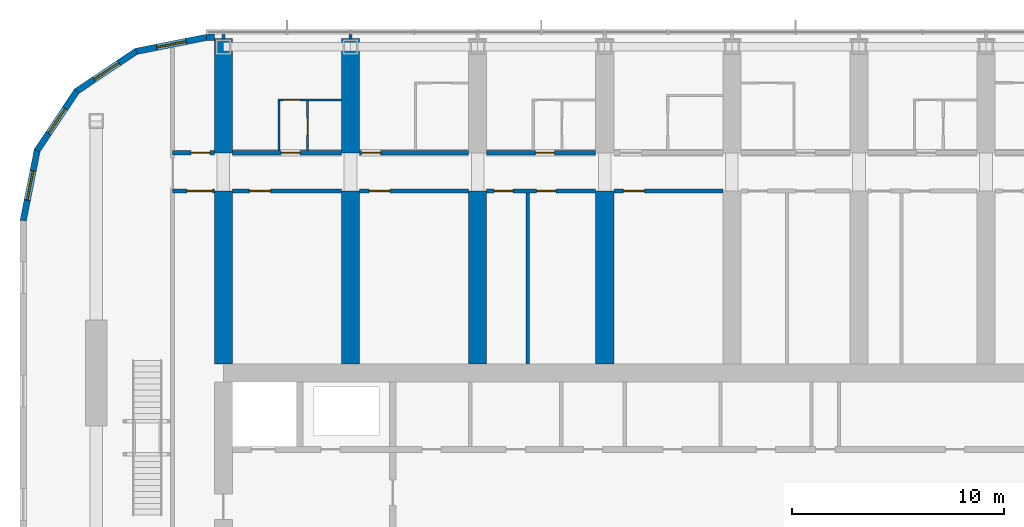
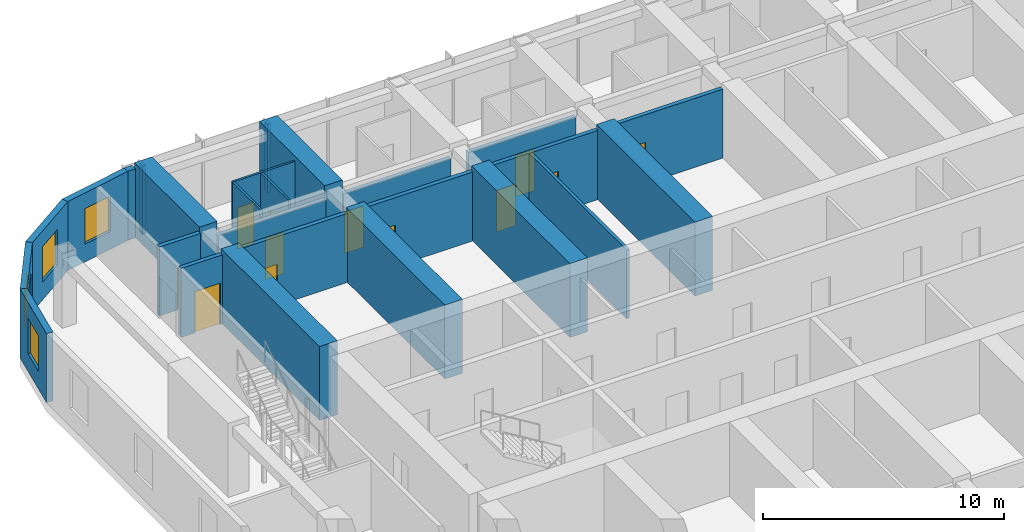
# One storey, part 17 of 27: 26 walls, 12 doors, 4 windows, 16 openings.
"""IFC4 building model written with IfcOpenShell, lengths in metres."""

from ifc_helpers import new_model, si_unit, direction, frame, frame_2d, origin, place, context, subcontext, project, spatial, polyline, rectangle, outline, extrude, material, layer, layer_set, type_object, element, fill, save


model = new_model("IFC4")

# Units and contexts
model_context = context("Model", 3, precision=1e-05, world=origin(), true_north=direction((0.0, 1.0)))
body_context = subcontext(model_context, "Body", "Model", "MODEL_VIEW")
ifc_project = project(units=[si_unit("LENGTHUNIT", "METRE"), si_unit("AREAUNIT", "SQUARE_METRE"), si_unit("VOLUMEUNIT", "CUBIC_METRE"), si_unit("PLANEANGLEUNIT", "RADIAN"), si_unit("MASSUNIT", "GRAM", prefix="KILO")], contexts=[model_context])

# Site, building, storey
site_placement = place(None, origin())
site = spatial("IfcSite", under=ifc_project, at=site_placement, CompositionType="ELEMENT")
building_placement = place(site_placement, origin())
building = spatial("IfcBuilding", under=site, at=building_placement, Name="Orbita Commons", CompositionType="ELEMENT")
storey_placement = place(building_placement, frame((0.0, 0.0, 178.60009765625)))
storey = spatial("IfcBuildingStorey", under=building, at=storey_placement, Name="L44", CompositionType="ELEMENT", Elevation=178.60009765625)

# Wall, opening, door
ifc_material_1 = material(Name="Concrete blockwork", Category="masonry")
ifc_layer_1 = layer(ifc_material_1, 0.199951171875)
ifc_layer_set_1 = layer_set([ifc_layer_1], Name="Concrete blockwork")
wall_type_1 = type_object("IfcWallType", Name="Corridor wall 200 blockwork", PredefinedType="SOLIDWALL", material=ifc_layer_set_1)
wall_1_placement = place(storey_placement, frame((15.60009765625, 48.60009765625, 0.0), z_axis=(0.0, 0.0, 1.0), x_axis=(1.0, 0.0, 0.0)))
wall_1 = element("IfcWall", 1, at=wall_1_placement, inside=storey, type_object=wall_type_1, Name="Corridor wall 200 blockwork L44", PredefinedType="SOLIDWALL", context=body_context, shape_type="SweptSolid", body=[
    extrude(rectangle(XDim=1.974853515625, YDim=0.199951171875, at=frame_2d((0.9873046875, 0.0))), origin(), (0.0, 0.0, 1.0), 3.5),
])
opening_1_placement = place(wall_1_placement, frame((0.875, 0.0, 0.0)))
opening_1 = element("IfcOpeningElement", 2, at=opening_1_placement, cuts=wall_1, Name="Opening D05", PredefinedType="OPENING", context=body_context, shape_type="SweptSolid", body=[
    extrude(rectangle(XDim=0.89990234375, YDim=2.10009765625, at=frame_2d((0.449951171875, 1.050048828125))), frame((0.0, 0.10986328125, 0.0), z_axis=(0.0, -1.0, 0.0), x_axis=(1.0, 0.0, 0.0)), (0.0, 0.0, 1.0), 0.219970703125),
])
ifc_material_2 = material(Name="Steel-faced fire door leaf", Category="steel")
door_type_1 = type_object("IfcDoorType", Name="Service door 20 min 900x2100", OperationType="SINGLE_SWING_LEFT", PredefinedType="DOOR", material=ifc_material_2)
door_1_placement = place(opening_1_placement, origin())
door_1 = element("IfcDoor", 3, at=door_1_placement, inside=storey, type_object=door_type_1, Name="Linen store L44-KWN door", OperationType="SINGLE_SWING_LEFT", OverallHeight=2.10009765625, OverallWidth=0.89990234375, PredefinedType="DOOR", context=body_context, shape_type="SweptSolid", body=[
    extrude(rectangle(XDim=0.89990234375, YDim=2.10009765625, at=frame_2d((0.449951171875, 1.050048828125))), frame((0.0, 0.02490234375, 0.0), z_axis=(0.0, -1.0, 0.0), x_axis=(1.0, 0.0, 0.0)), (0.0, 0.0, 1.0), 0.050048828125),
])
fill(opening_1, door_1)

wall_2_placement = place(storey_placement, frame((18.425048828125, 48.60009765625, 0.0), z_axis=(0.0, 0.0, 1.0), x_axis=(1.0, 0.0, 0.0)))
wall_2 = element("IfcWall", 4, at=wall_2_placement, inside=storey, type_object=wall_type_1, Name="Corridor wall 200 blockwork L44", PredefinedType="SOLIDWALL", context=body_context, shape_type="SweptSolid", body=[
    extrude(outline(polyline([(0.0, 0.0), (5.14990234375, 0.0), (5.14990234375, 3.099853515625), (0.0, 3.099853515625), (0.0, 0.0)])), frame((0.0, 0.10009765625, 0.0), z_axis=(0.0, -1.0, 0.0), x_axis=(1.0, 0.0, 0.0)), (0.0, 0.0, 1.0), 0.199951171875),
])
opening_2_placement = place(wall_2_placement, frame((2.300048828125, 0.0, 0.0)))
opening_2 = element("IfcOpeningElement", 5, at=opening_2_placement, cuts=wall_2, Name="Opening D11", PredefinedType="OPENING", context=body_context, shape_type="SweptSolid", body=[
    extrude(rectangle(XDim=0.89990234375, YDim=2.10009765625, at=frame_2d((0.449951171875, 1.050048828125))), frame((0.0, 0.10986328125, 0.0), z_axis=(0.0, -1.0, 0.0), x_axis=(1.0, 0.0, 0.0)), (0.0, 0.0, 1.0), 0.219970703125),
])
ifc_material_3 = material(Name="Steel-faced fire door leaf", Category="steel")
door_type_2 = type_object("IfcDoorType", Name="Corridor door 20 min 900x2100", OperationType="SINGLE_SWING_LEFT", PredefinedType="DOOR", material=ifc_material_3)
door_2_placement = place(opening_2_placement, origin())
door_2 = element("IfcDoor", 6, at=door_2_placement, inside=storey, type_object=door_type_2, Name="Studio flat L44-N00 entrance door", OperationType="SINGLE_SWING_LEFT", OverallHeight=2.10009765625, OverallWidth=0.89990234375, PredefinedType="DOOR", context=body_context, shape_type="SweptSolid", body=[
    extrude(rectangle(XDim=0.89990234375, YDim=2.10009765625, at=frame_2d((0.449951171875, 1.050048828125))), frame((0.0, 0.02490234375, 0.0), z_axis=(0.0, -1.0, 0.0), x_axis=(1.0, 0.0, 0.0)), (0.0, 0.0, 1.0), 0.050048828125),
])
fill(opening_2, door_2)

wall_3_placement = place(storey_placement, frame((24.425048828125, 48.60009765625, 0.0), z_axis=(0.0, 0.0, 1.0), x_axis=(1.0, 0.0, 0.0)))
wall_3 = element("IfcWall", 7, at=wall_3_placement, inside=storey, type_object=wall_type_1, Name="Corridor wall 200 blockwork L44", PredefinedType="SOLIDWALL", context=body_context, shape_type="SweptSolid", body=[
    extrude(outline(polyline([(0.0, 0.0), (5.14990234375, 0.0), (5.14990234375, 3.099853515625), (0.0, 3.099853515625), (0.0, 0.0)])), frame((0.0, 0.10009765625, 0.0), z_axis=(0.0, -1.0, 0.0), x_axis=(1.0, 0.0, 0.0)), (0.0, 0.0, 1.0), 0.199951171875),
])
opening_3_placement = place(wall_3_placement, frame((0.10009765625, 0.0, 0.0)))
opening_3 = element("IfcOpeningElement", 8, at=opening_3_placement, cuts=wall_3, Name="Opening D11", PredefinedType="OPENING", context=body_context, shape_type="SweptSolid", body=[
    extrude(rectangle(XDim=0.89990234375, YDim=2.10009765625, at=frame_2d((0.449951171875, 1.050048828125))), frame((0.0, 0.10986328125, 0.0), z_axis=(0.0, -1.0, 0.0), x_axis=(1.0, 0.0, 0.0)), (0.0, 0.0, 1.0), 0.219970703125),
])
door_3_placement = place(opening_3_placement, origin())
door_3 = element("IfcDoor", 9, at=door_3_placement, inside=storey, type_object=door_type_2, Name="Twin room L44-N02 door", OperationType="SINGLE_SWING_LEFT", OverallHeight=2.10009765625, OverallWidth=0.89990234375, PredefinedType="DOOR", context=body_context, shape_type="SweptSolid", body=[
    extrude(rectangle(XDim=0.89990234375, YDim=2.10009765625, at=frame_2d((0.449951171875, 1.050048828125))), frame((0.0, 0.02490234375, 0.0), z_axis=(0.0, -1.0, 0.0), x_axis=(1.0, 0.0, 0.0)), (0.0, 0.0, 1.0), 0.050048828125),
])
fill(opening_3, door_3)

wall_4_placement = place(storey_placement, frame((30.425048828125, 48.60009765625, 0.0), z_axis=(0.0, 0.0, 1.0), x_axis=(1.0, 0.0, 0.0)))
wall_4 = element("IfcWall", 10, at=wall_4_placement, inside=storey, type_object=wall_type_1, Name="Corridor wall 200 blockwork L44", PredefinedType="SOLIDWALL", context=body_context, shape_type="SweptSolid", body=[
    extrude(outline(polyline([(0.0, 0.0), (5.14990234375, 0.0), (5.14990234375, 3.099853515625), (0.0, 3.099853515625), (0.0, 0.0)])), frame((0.0, 0.10009765625, 0.0), z_axis=(0.0, -1.0, 0.0), x_axis=(1.0, 0.0, 0.0)), (0.0, 0.0, 1.0), 0.199951171875),
])
opening_4_placement = place(wall_4_placement, frame((2.300048828125, 0.0, 0.0)))
opening_4 = element("IfcOpeningElement", 11, at=opening_4_placement, cuts=wall_4, Name="Opening D11", PredefinedType="OPENING", context=body_context, shape_type="SweptSolid", body=[
    extrude(rectangle(XDim=0.89990234375, YDim=2.10009765625, at=frame_2d((0.449951171875, 1.050048828125))), frame((0.0, 0.10986328125, 0.0), z_axis=(0.0, -1.0, 0.0), x_axis=(1.0, 0.0, 0.0)), (0.0, 0.0, 1.0), 0.219970703125),
])
door_4_placement = place(opening_4_placement, origin())
door_4 = element("IfcDoor", 12, at=door_4_placement, inside=storey, type_object=door_type_2, Name="Studio flat L44-N04 entrance door", OperationType="SINGLE_SWING_LEFT", OverallHeight=2.10009765625, OverallWidth=0.89990234375, PredefinedType="DOOR", context=body_context, shape_type="SweptSolid", body=[
    extrude(rectangle(XDim=0.89990234375, YDim=2.10009765625, at=frame_2d((0.449951171875, 1.050048828125))), frame((0.0, 0.02490234375, 0.0), z_axis=(0.0, -1.0, 0.0), x_axis=(1.0, 0.0, 0.0)), (0.0, 0.0, 1.0), 0.050048828125),
])
fill(opening_4, door_4)

ifc_material_4 = material(Name="Hollow concrete block 200", Category="concrete")
ifc_layer_2 = layer(ifc_material_4, 0.199951171875)
ifc_layer_set_2 = layer_set([ifc_layer_2], Name="Hollow concrete block 200")
wall_type_2 = type_object("IfcWallType", Name="Corridor wall 200 hollow concrete block", PredefinedType="SOLIDWALL", material=ifc_layer_set_2)
wall_5_placement = place(storey_placement, frame((15.60009765625, 46.800048828125, 0.0), z_axis=(0.0, 0.0, 1.0), x_axis=(1.0, 0.0, 0.0)))
wall_5 = element("IfcWall", 13, at=wall_5_placement, inside=storey, type_object=wall_type_2, Name="Corridor wall 200 hollow concrete block L44", PredefinedType="SOLIDWALL", context=body_context, shape_type="SweptSolid", body=[
    extrude(rectangle(XDim=1.974853515625, YDim=0.199951171875, at=frame_2d((0.9873046875, 0.0))), origin(), (0.0, 0.0, 1.0), 3.5),
])
opening_5_placement = place(wall_5_placement, frame((0.675048828125, 0.0, 0.0)))
opening_5 = element("IfcOpeningElement", 14, at=opening_5_placement, cuts=wall_5, Name="Opening D12", PredefinedType="OPENING", context=body_context, shape_type="SweptSolid", body=[
    extrude(rectangle(XDim=1.199951171875, YDim=2.10009765625, at=frame_2d((0.60009765625, 1.050048828125))), frame((0.0, 0.10986328125, 0.0), z_axis=(0.0, -1.0, 0.0), x_axis=(1.0, 0.0, 0.0)), (0.0, 0.0, 1.0), 0.219970703125),
])
ifc_material_5 = material(Name="Steel-faced fire door leaf", Category="steel")
door_type_3 = type_object("IfcDoorType", Name="Double corridor door 20 min 1200x2100", OperationType="DOUBLE_DOOR_SINGLE_SWING", PredefinedType="DOOR", material=ifc_material_5)
door_5_placement = place(opening_5_placement, origin())
door_5 = element("IfcDoor", 15, at=door_5_placement, inside=storey, type_object=door_type_3, Name="Cross corridor doors", OperationType="DOUBLE_DOOR_SINGLE_SWING", OverallHeight=2.10009765625, OverallWidth=1.199951171875, PredefinedType="DOOR", context=body_context, shape_type="SweptSolid", body=[
    extrude(rectangle(XDim=1.199951171875, YDim=2.10009765625, at=frame_2d((0.60009765625, 1.050048828125))), frame((0.0, 0.02490234375, 0.0), z_axis=(0.0, -1.0, 0.0), x_axis=(1.0, 0.0, 0.0)), (0.0, 0.0, 1.0), 0.050048828125),
])
fill(opening_5, door_5)

wall_6_placement = place(storey_placement, frame((18.425048828125, 46.800048828125, 0.0), z_axis=(0.0, 0.0, 1.0), x_axis=(1.0, 0.0, 0.0)))
wall_6 = element("IfcWall", 16, at=wall_6_placement, inside=storey, type_object=wall_type_2, Name="Corridor wall 200 hollow concrete block L44", PredefinedType="SOLIDWALL", context=body_context, shape_type="SweptSolid", body=[
    extrude(rectangle(XDim=5.14990234375, YDim=0.199951171875, at=frame_2d((2.574951171875, 0.0))), origin(), (0.0, 0.0, 1.0), 3.5),
])
opening_6_placement = place(wall_6_placement, frame((0.800048828125, 0.0, 0.0)))
opening_6 = element("IfcOpeningElement", 17, at=opening_6_placement, cuts=wall_6, Name="Opening D06", PredefinedType="OPENING", context=body_context, shape_type="SweptSolid", body=[
    extrude(rectangle(XDim=1.0, YDim=2.10009765625, at=frame_2d((0.5, 1.050048828125))), frame((0.0, 0.10986328125, 0.0), z_axis=(0.0, -1.0, 0.0), x_axis=(1.0, 0.0, 0.0)), (0.0, 0.0, 1.0), 0.219970703125),
])
ifc_material_6 = material(Name="Steel-faced fire door leaf", Category="steel")
door_type_4 = type_object("IfcDoorType", Name="Corridor door 20 min 1000x2100", OperationType="SINGLE_SWING_LEFT", PredefinedType="DOOR", material=ifc_material_6)
door_6_placement = place(opening_6_placement, origin())
door_6 = element("IfcDoor", 18, at=door_6_placement, inside=storey, type_object=door_type_4, Name="Pantry L44-BDN18 door", OperationType="SINGLE_SWING_LEFT", OverallHeight=2.10009765625, OverallWidth=1.0, PredefinedType="DOOR", context=body_context, shape_type="SweptSolid", body=[
    extrude(rectangle(XDim=1.0, YDim=2.10009765625, at=frame_2d((0.5, 1.050048828125))), frame((0.0, 0.02490234375, 0.0), z_axis=(0.0, -1.0, 0.0), x_axis=(1.0, 0.0, 0.0)), (0.0, 0.0, 1.0), 0.050048828125),
])
fill(opening_6, door_6)

wall_7_placement = place(storey_placement, frame((24.425048828125, 46.800048828125, 0.0), z_axis=(0.0, 0.0, 1.0), x_axis=(1.0, 0.0, 0.0)))
wall_7 = element("IfcWall", 19, at=wall_7_placement, inside=storey, type_object=wall_type_2, Name="Corridor wall 200 hollow concrete block L44", PredefinedType="SOLIDWALL", context=body_context, shape_type="SweptSolid", body=[
    extrude(rectangle(XDim=5.14990234375, YDim=0.199951171875, at=frame_2d((2.574951171875, 0.0))), origin(), (0.0, 0.0, 1.0), 3.5),
])
opening_7_placement = place(wall_7_placement, frame((0.449951171875, 0.0, 0.0)))
opening_7 = element("IfcOpeningElement", 20, at=opening_7_placement, cuts=wall_7, Name="Opening D06", PredefinedType="OPENING", context=body_context, shape_type="SweptSolid", body=[
    extrude(rectangle(XDim=1.0, YDim=2.10009765625, at=frame_2d((0.5, 1.050048828125))), frame((0.0, 0.10986328125, 0.0), z_axis=(0.0, -1.0, 0.0), x_axis=(1.0, 0.0, 0.0)), (0.0, 0.0, 1.0), 0.219970703125),
])
door_7_placement = place(opening_7_placement, origin())
door_7 = element("IfcDoor", 21, at=door_7_placement, inside=storey, type_object=door_type_4, Name="IT and print room L44-BDN24 door", OperationType="SINGLE_SWING_LEFT", OverallHeight=2.10009765625, OverallWidth=1.0, PredefinedType="DOOR", context=body_context, shape_type="SweptSolid", body=[
    extrude(rectangle(XDim=1.0, YDim=2.10009765625, at=frame_2d((0.5, 1.050048828125))), frame((0.0, 0.02490234375, 0.0), z_axis=(0.0, -1.0, 0.0), x_axis=(1.0, 0.0, 0.0)), (0.0, 0.0, 1.0), 0.050048828125),
])
fill(opening_7, door_7)

# Wall, openings, doors
wall_8_placement = place(storey_placement, frame((30.425048828125, 46.800048828125, 0.0), z_axis=(0.0, 0.0, 1.0), x_axis=(1.0, 0.0, 0.0)))
wall_8 = element("IfcWall", 22, at=wall_8_placement, inside=storey, type_object=wall_type_2, Name="Corridor wall 200 hollow concrete block L44", PredefinedType="SOLIDWALL", context=body_context, shape_type="SweptSolid", body=[
    extrude(rectangle(XDim=5.14990234375, YDim=0.199951171875, at=frame_2d((2.574951171875, 0.0))), origin(), (0.0, 0.0, 1.0), 3.5),
])
opening_8_placement = place(wall_8_placement, frame((0.35009765625, 0.0, 0.0)))
opening_8 = element("IfcOpeningElement", 23, at=opening_8_placement, cuts=wall_8, Name="Opening D11", PredefinedType="OPENING", context=body_context, shape_type="SweptSolid", body=[
    extrude(rectangle(XDim=0.89990234375, YDim=2.10009765625, at=frame_2d((0.449951171875, 1.050048828125))), frame((0.0, 0.10986328125, 0.0), z_axis=(0.0, -1.0, 0.0), x_axis=(1.0, 0.0, 0.0)), (0.0, 0.0, 1.0), 0.219970703125),
])
opening_9_placement = place(wall_8_placement, frame((2.364990234375, 0.0, 0.0)))
opening_9 = element("IfcOpeningElement", 24, at=opening_9_placement, cuts=wall_8, Name="Opening D11", PredefinedType="OPENING", context=body_context, shape_type="SweptSolid", body=[
    extrude(rectangle(XDim=0.89990234375, YDim=2.10009765625, at=frame_2d((0.449951171875, 1.050048828125))), frame((0.0, 0.10986328125, 0.0), z_axis=(0.0, -1.0, 0.0), x_axis=(1.0, 0.0, 0.0)), (0.0, 0.0, 1.0), 0.219970703125),
])
door_8_placement = place(opening_8_placement, origin())
door_8 = element("IfcDoor", 25, at=door_8_placement, inside=storey, type_object=door_type_2, Name="Water heater cupboard L44-BDN30n door", OperationType="SINGLE_SWING_LEFT", OverallHeight=2.10009765625, OverallWidth=0.89990234375, PredefinedType="DOOR", context=body_context, shape_type="SweptSolid", body=[
    extrude(rectangle(XDim=0.89990234375, YDim=2.10009765625, at=frame_2d((0.449951171875, 1.050048828125))), frame((0.0, 0.02490234375, 0.0), z_axis=(0.0, -1.0, 0.0), x_axis=(1.0, 0.0, 0.0)), (0.0, 0.0, 1.0), 0.050048828125),
])
fill(opening_8, door_8)
door_9_placement = place(opening_9_placement, origin())
door_9 = element("IfcDoor", 26, at=door_9_placement, inside=storey, type_object=door_type_2, Name="Refuse and recycling room L44-BDN30 door", OperationType="SINGLE_SWING_LEFT", OverallHeight=2.10009765625, OverallWidth=0.89990234375, PredefinedType="DOOR", context=body_context, shape_type="SweptSolid", body=[
    extrude(rectangle(XDim=0.89990234375, YDim=2.10009765625, at=frame_2d((0.449951171875, 1.050048828125))), frame((0.0, 0.02490234375, 0.0), z_axis=(0.0, -1.0, 0.0), x_axis=(1.0, 0.0, 0.0)), (0.0, 0.0, 1.0), 0.050048828125),
])
fill(opening_9, door_9)

# Wall, opening, door
wall_9_placement = place(storey_placement, frame((36.425048828125, 46.800048828125, 0.0), z_axis=(0.0, 0.0, 1.0), x_axis=(1.0, 0.0, 0.0)))
wall_9 = element("IfcWall", 27, at=wall_9_placement, inside=storey, type_object=wall_type_2, Name="Corridor wall 200 hollow concrete block L44", PredefinedType="SOLIDWALL", context=body_context, shape_type="SweptSolid", body=[
    extrude(rectangle(XDim=5.14990234375, YDim=0.199951171875, at=frame_2d((2.574951171875, 0.0))), origin(), (0.0, 0.0, 1.0), 3.5),
])
opening_10_placement = place(wall_9_placement, frame((0.449951171875, 0.0, 0.0)))
opening_10 = element("IfcOpeningElement", 28, at=opening_10_placement, cuts=wall_9, Name="Opening D06", PredefinedType="OPENING", context=body_context, shape_type="SweptSolid", body=[
    extrude(rectangle(XDim=1.0, YDim=2.10009765625, at=frame_2d((0.5, 1.050048828125))), frame((0.0, 0.10986328125, 0.0), z_axis=(0.0, -1.0, 0.0), x_axis=(1.0, 0.0, 0.0)), (0.0, 0.0, 1.0), 0.219970703125),
])
door_10_placement = place(opening_10_placement, origin())
door_10 = element("IfcDoor", 29, at=door_10_placement, inside=storey, type_object=door_type_4, Name="Store L44-BDN36 door", OperationType="SINGLE_SWING_LEFT", OverallHeight=2.10009765625, OverallWidth=1.0, PredefinedType="DOOR", context=body_context, shape_type="SweptSolid", body=[
    extrude(rectangle(XDim=1.0, YDim=2.10009765625, at=frame_2d((0.5, 1.050048828125))), frame((0.0, 0.02490234375, 0.0), z_axis=(0.0, -1.0, 0.0), x_axis=(1.0, 0.0, 0.0)), (0.0, 0.0, 1.0), 0.050048828125),
])
fill(opening_10, door_10)

# Walls
ifc_material_7 = material(Name="Concrete C50/60", Category="concrete")
ifc_layer_3 = layer(ifc_material_7, 0.85009765625)
ifc_layer_set_3 = layer_set([ifc_layer_3], Name="Concrete C50/60")
wall_type_3 = type_object("IfcWallType", Name="Cross wall 850 C50/60", PredefinedType="SHEAR", material=ifc_layer_set_3)
wall_10_placement = place(storey_placement, frame((18.0, 48.60009765625, 0.0), z_axis=(0.0, 0.0, 1.0), x_axis=(0.0, 1.0, 0.0)))
element("IfcWall", 30, at=wall_10_placement, inside=storey, type_object=wall_type_3, Name="Cross wall 4 north outer L44", PredefinedType="SHEAR", context=body_context, shape_type="SweptSolid", body=[
    extrude(rectangle(XDim=5.39990234375, YDim=0.85009765625, at=frame_2d((2.699951171875, 0.0))), origin(), (0.0, 0.0, 1.0), 3.75),
])
wall_11_placement = place(storey_placement, frame((18.0, 38.625, 0.0), z_axis=(0.0, 0.0, 1.0), x_axis=(0.0, 1.0, 0.0)))
element("IfcWall", 31, at=wall_11_placement, inside=storey, type_object=wall_type_3, Name="Cross wall 4 north inner L44", PredefinedType="SHEAR", context=body_context, shape_type="SweptSolid", body=[
    extrude(rectangle(XDim=8.175048828125, YDim=0.85009765625, at=frame_2d((4.08740234375, 0.0))), origin(), (0.0, 0.0, 1.0), 3.75),
])
wall_12_placement = place(storey_placement, frame((24.0, 48.60009765625, 0.0), z_axis=(0.0, 0.0, 1.0), x_axis=(0.0, 1.0, 0.0)))
element("IfcWall", 32, at=wall_12_placement, inside=storey, type_object=wall_type_3, Name="Cross wall 5 north outer L44", PredefinedType="SHEAR", context=body_context, shape_type="SweptSolid", body=[
    extrude(rectangle(XDim=5.39990234375, YDim=0.85009765625, at=frame_2d((2.699951171875, 0.0))), origin(), (0.0, 0.0, 1.0), 3.75),
])
for number, where, z_axis, x_axis, name in (
    (33, (24.0, 38.625, 0.0), (0.0, 0.0, 1.0), (0.0, 1.0, 0.0), "Cross wall 5 north inner L44"),
    (34, (30.0, 38.625, 0.0), (0.0, 0.0, 1.0), (0.0, 1.0, 0.0), "Cross wall 6 north inner L44"),
    (35, (36.0, 38.625, 0.0), (0.0, 0.0, 1.0), (0.0, 1.0, 0.0), "Cross wall 7 north inner L44"),
):
    element("IfcWall", number, at=place(storey_placement, frame(where, z_axis=z_axis, x_axis=x_axis)), inside=storey, type_object=wall_type_3, Name=name, PredefinedType="SHEAR", context=body_context, shape_type="SweptSolid", body=[
        extrude(rectangle(XDim=8.175048828125, YDim=0.85009765625, at=frame_2d((4.08740234375, 0.0))), origin(), (0.0, 0.0, 1.0), 3.75),
    ])

# Wall, opening, door
ifc_material_8 = material(Name="Moisture-resistant plasterboard on steel studs", Category="steel")
ifc_layer_4 = layer(ifc_material_8, 0.10009765625)
ifc_layer_set_4 = layer_set([ifc_layer_4], Name="Moisture-resistant plasterboard on steel studs")
wall_type_4 = type_object("IfcWallType", Name="En-suite partition 100", PredefinedType="PARTITIONING", material=ifc_layer_set_4)
wall_13_placement = place(storey_placement, frame((20.574951171875, 51.10009765625, 0.0), z_axis=(0.0, 0.0, 1.0), x_axis=(1.0, 0.0, 0.0)))
wall_13 = element("IfcWall", 36, at=wall_13_placement, inside=storey, type_object=wall_type_4, Name="En-suite partition 100 L44", PredefinedType="PARTITIONING", context=body_context, shape_type="SweptSolid", body=[
    extrude(rectangle(XDim=3.0, YDim=0.10009765625, at=frame_2d((1.5, 0.0))), origin(), (0.0, 0.0, 1.0), 3.5),
])
opening_11_placement = place(wall_13_placement, frame((0.25, 0.0, 0.0)))
opening_11 = element("IfcOpeningElement", 37, at=opening_11_placement, cuts=wall_13, Name="Opening D16", PredefinedType="OPENING", context=body_context, shape_type="SweptSolid", body=[
    extrude(rectangle(XDim=0.800048828125, YDim=2.10009765625, at=frame_2d((0.39990234375, 1.050048828125))), frame((0.0, 0.06005859375, 0.0), z_axis=(0.0, -1.0, 0.0), x_axis=(1.0, 0.0, 0.0)), (0.0, 0.0, 1.0), 0.1201171875),
])
ifc_material_9 = material(Name="Laminated timber door leaf", Category="wood")
door_type_5 = type_object("IfcDoorType", Name="En-suite door 800x2100", OperationType="SINGLE_SWING_RIGHT", PredefinedType="DOOR", material=ifc_material_9)
door_11_placement = place(opening_11_placement, origin())
door_11 = element("IfcDoor", 38, at=door_11_placement, inside=storey, type_object=door_type_5, Name="Studio flat L44-N00 door", OperationType="SINGLE_SWING_RIGHT", OverallHeight=2.10009765625, OverallWidth=0.800048828125, PredefinedType="DOOR", context=body_context, shape_type="SweptSolid", body=[
    extrude(rectangle(XDim=0.800048828125, YDim=2.10009765625, at=frame_2d((0.39990234375, 1.050048828125))), frame((0.0, 0.02490234375, 0.0), z_axis=(0.0, -1.0, 0.0), x_axis=(1.0, 0.0, 0.0)), (0.0, 0.0, 1.0), 0.050048828125),
])
fill(opening_11, door_11)

# Wall
wall_14_placement = place(storey_placement, frame((20.625, 51.050048828125, 0.0), z_axis=(0.0, 0.0, 1.0), x_axis=(0.0, -1.0, 0.0)))
element("IfcWall", 39, at=wall_14_placement, inside=storey, type_object=wall_type_4, Name="En-suite partition 100 L44", PredefinedType="PARTITIONING", context=body_context, shape_type="SweptSolid", body=[
    extrude(outline(polyline([(0.0, 0.0), (2.35009765625, 0.0), (2.35009765625, 3.099853515625), (2.302001953125, 3.099853515625), (2.300048828125, 3.5), (0.0, 3.5), (0.0, 0.0)])), frame((0.0, 0.050048828125, 0.0), z_axis=(0.0, -1.0, 0.0), x_axis=(1.0, 0.0, 0.0)), (0.0, 0.0, 1.0), 0.10009765625),
])

# Wall, opening, door
wall_15_placement = place(storey_placement, frame((21.97509765625, 51.050048828125, 0.0), z_axis=(0.0, 0.0, 1.0), x_axis=(0.0, -1.0, 0.0)))
wall_15 = element("IfcWall", 40, at=wall_15_placement, inside=storey, type_object=wall_type_4, Name="En-suite partition 100 L44", PredefinedType="PARTITIONING", context=body_context, shape_type="SweptSolid", body=[
    extrude(outline(polyline([(0.0, 0.0), (2.35009765625, 0.0), (2.35009765625, 3.099853515625), (2.302001953125, 3.099853515625), (2.300048828125, 3.5), (0.0, 3.5), (0.0, 0.0)])), frame((0.0, 0.050048828125, 0.0), z_axis=(0.0, -1.0, 0.0), x_axis=(1.0, 0.0, 0.0)), (0.0, 0.0, 1.0), 0.10009765625),
])
opening_12_placement = place(wall_15_placement, frame((0.800048828125, 0.0, 0.0)))
opening_12 = element("IfcOpeningElement", 41, at=opening_12_placement, cuts=wall_15, Name="Opening D16", PredefinedType="OPENING", context=body_context, shape_type="SweptSolid", body=[
    extrude(rectangle(XDim=0.800048828125, YDim=2.10009765625, at=frame_2d((0.39990234375, 1.050048828125))), frame((0.0, 0.06005859375, 0.0), z_axis=(0.0, -1.0, 0.0), x_axis=(1.0, 0.0, 0.0)), (0.0, 0.0, 1.0), 0.1201171875),
])
door_12_placement = place(opening_12_placement, origin())
door_12 = element("IfcDoor", 42, at=door_12_placement, inside=storey, type_object=door_type_5, Name="Studio flat shower room L44-N00 door", OperationType="SINGLE_SWING_RIGHT", OverallHeight=2.10009765625, OverallWidth=0.800048828125, PredefinedType="DOOR", context=body_context, shape_type="SweptSolid", body=[
    extrude(rectangle(XDim=0.800048828125, YDim=2.10009765625, at=frame_2d((0.39990234375, 1.050048828125))), frame((0.0, 0.02490234375, 0.0), z_axis=(0.0, -1.0, 0.0), x_axis=(1.0, 0.0, 0.0)), (0.0, 0.0, 1.0), 0.050048828125),
])
fill(opening_12, door_12)

# Walls
ifc_material_10 = material(Name="Gypsum plasterboard on steel studs", Category="steel")
ifc_layer_5 = layer(ifc_material_10, 0.14990234375)
ifc_layer_set_5 = layer_set([ifc_layer_5], Name="Gypsum plasterboard on steel studs")
wall_type_5 = type_object("IfcWallType", Name="Partition 150 plasterboard", PredefinedType="PARTITIONING", material=ifc_layer_set_5)
wall_16_placement = place(storey_placement, frame((32.364990234375, 38.625, 0.0), z_axis=(0.0, 0.0, 1.0), x_axis=(0.0, 1.0, 0.0)))
element("IfcWall", 43, at=wall_16_placement, inside=storey, type_object=wall_type_5, Name="Partition 150 plasterboard L44", PredefinedType="PARTITIONING", context=body_context, shape_type="SweptSolid", body=[
    extrude(rectangle(XDim=8.074951171875, YDim=0.14990234375, at=frame_2d((4.03759765625, 0.0))), origin(), (0.0, 0.0, 1.0), 3.5),
])
for number, where, z_axis, x_axis, name in (
    (44, (18.0, 53.949951171875, 0.0), (0.0, 0.0, 1.0), (0.0, 1.0, 0.0), "Partition 150 plasterboard L44"),
    (45, (24.0, 53.949951171875, 0.0), (0.0, 0.0, 1.0), (0.0, 1.0, 0.0), "Partition 150 plasterboard L44"),
):
    element("IfcWall", number, at=place(storey_placement, frame(where, z_axis=z_axis, x_axis=x_axis)), inside=storey, type_object=wall_type_5, Name=name, PredefinedType="PARTITIONING", context=body_context, shape_type="SweptSolid", body=[
        extrude(rectangle(XDim=0.239990234375, YDim=0.14990234375, at=frame_2d((0.1201171875, 0.0))), origin(), (0.0, 0.0, 1.0), 3.5),
    ])

# Wall, opening, window
ifc_material_11 = material(Name="Precast concrete C40/50, white board-marked finish", Category="concrete")
ifc_layer_6 = layer(ifc_material_11, 0.300048828125)
ifc_layer_set_6 = layer_set([ifc_layer_6], Name="Precast concrete C40/50, white board-marked finish")
wall_type_6 = type_object("IfcWallType", Name="Precast concrete end shield 300", PredefinedType="SOLIDWALL", material=ifc_layer_set_6)
wall_17_placement = place(storey_placement, frame((17.199951171875, 54.050048828125, 0.0), z_axis=(0.0, 0.0, 1.0), x_axis=(-0.98078325777, -0.195100490205, 0.0)))
wall_17 = element("IfcWall", 46, at=wall_17_placement, inside=storey, type_object=wall_type_6, Name="End shield NW chord 1 L44", PredefinedType="SOLIDWALL", context=body_context, shape_type="SweptSolid", body=[
    extrude(outline(polyline([(-0.02978515625, -0.14990234375), (3.40478515625, -0.14990234375), (3.34521484375, 0.14990234375), (0.02978515625, 0.14990234375), (-0.02978515625, -0.14990234375)])), origin(), (0.0, 0.0, 1.0), 3.5),
])
opening_13_placement = place(wall_17_placement, frame((0.987548828125, 0.0, 0.89990234375)))
opening_13 = element("IfcOpeningElement", 47, at=opening_13_placement, cuts=wall_17, Name="Opening W02", PredefinedType="OPENING", context=body_context, shape_type="SweptSolid", body=[
    extrude(rectangle(XDim=1.39990234375, YDim=1.800048828125, at=frame_2d((0.699951171875, 0.89990234375))), frame((0.0, 0.159912109375, 0.0), z_axis=(0.0, -1.0, 0.0), x_axis=(1.0, 0.0, 0.0)), (0.0, 0.0, 1.0), 0.320068359375),
])
ifc_material_12 = material(Name="Aluminium frame, clear double glazing", Category="aluminium")
window_type = type_object("IfcWindowType", Name="Deep-set window 1400x1800", PartitioningType="SINGLE_PANEL", PredefinedType="WINDOW", material=ifc_material_12)
window_1_placement = place(opening_13_placement, origin())
window_1 = element("IfcWindow", 48, at=window_1_placement, inside=storey, type_object=window_type, Name="Window L44-NW0", OverallHeight=1.800048828125, OverallWidth=1.39990234375, PartitioningType="SINGLE_PANEL", PredefinedType="WINDOW", context=body_context, shape_type="SweptSolid", body=[
    extrude(rectangle(XDim=1.39990234375, YDim=1.800048828125, at=frame_2d((0.699951171875, 0.89990234375))), frame((0.0, 0.030029296875, 0.0), z_axis=(0.0, -1.0, 0.0), x_axis=(1.0, 0.0, 0.0)), (0.0, 0.0, 1.0), 0.06005859375),
])
fill(opening_13, window_1)

wall_18_placement = place(storey_placement, frame((13.889892578125, 53.3916015625, 0.0), z_axis=(0.0, 0.0, 1.0), x_axis=(-0.831493450887, -0.555534554399, 0.0)))
wall_18 = element("IfcWall", 49, at=wall_18_placement, inside=storey, type_object=wall_type_6, Name="End shield NW chord 2 L44", PredefinedType="SOLIDWALL", context=body_context, shape_type="SweptSolid", body=[
    extrude(outline(polyline([(-0.02978515625, -0.14990234375), (3.405029296875, -0.14990234375), (3.345458984375, 0.14990234375), (0.02978515625, 0.14990234375), (-0.02978515625, -0.14990234375)])), origin(), (0.0, 0.0, 1.0), 3.5),
])
opening_14_placement = place(wall_18_placement, frame((0.987548828125, 0.0, 0.89990234375)))
opening_14 = element("IfcOpeningElement", 50, at=opening_14_placement, cuts=wall_18, Name="Opening W02", PredefinedType="OPENING", context=body_context, shape_type="SweptSolid", body=[
    extrude(rectangle(XDim=1.39990234375, YDim=1.800048828125, at=frame_2d((0.699951171875, 0.89990234375))), frame((0.0, 0.159912109375, 0.0), z_axis=(0.0, -1.0, 0.0), x_axis=(1.0, 0.0, 0.0)), (0.0, 0.0, 1.0), 0.320068359375),
])
window_2_placement = place(opening_14_placement, origin())
window_2 = element("IfcWindow", 51, at=window_2_placement, inside=storey, type_object=window_type, Name="Window L44-NW1", OverallHeight=1.800048828125, OverallWidth=1.39990234375, PartitioningType="SINGLE_PANEL", PredefinedType="WINDOW", context=body_context, shape_type="SweptSolid", body=[
    extrude(rectangle(XDim=1.39990234375, YDim=1.800048828125, at=frame_2d((0.699951171875, 0.89990234375))), frame((0.0, 0.030029296875, 0.0), z_axis=(0.0, -1.0, 0.0), x_axis=(1.0, 0.0, 0.0)), (0.0, 0.0, 1.0), 0.06005859375),
])
fill(opening_14, window_2)

wall_19_placement = place(storey_placement, frame((11.08349609375, 51.5166015625, 0.0), z_axis=(0.0, 0.0, 1.0), x_axis=(-0.555534554399, -0.831493450887, 0.0)))
wall_19 = element("IfcWall", 52, at=wall_19_placement, inside=storey, type_object=wall_type_6, Name="End shield NW chord 3 L44", PredefinedType="SOLIDWALL", context=body_context, shape_type="SweptSolid", body=[
    extrude(outline(polyline([(-0.02978515625, -0.14990234375), (3.405029296875, -0.14990234375), (3.345458984375, 0.14990234375), (0.02978515625, 0.14990234375), (-0.02978515625, -0.14990234375)])), origin(), (0.0, 0.0, 1.0), 3.5),
])
opening_15_placement = place(wall_19_placement, frame((0.987548828125, 0.0, 0.89990234375)))
opening_15 = element("IfcOpeningElement", 53, at=opening_15_placement, cuts=wall_19, Name="Opening W02", PredefinedType="OPENING", context=body_context, shape_type="SweptSolid", body=[
    extrude(rectangle(XDim=1.39990234375, YDim=1.800048828125, at=frame_2d((0.699951171875, 0.89990234375))), frame((0.0, 0.159912109375, 0.0), z_axis=(0.0, -1.0, 0.0), x_axis=(1.0, 0.0, 0.0)), (0.0, 0.0, 1.0), 0.320068359375),
])
window_3_placement = place(opening_15_placement, origin())
window_3 = element("IfcWindow", 54, at=window_3_placement, inside=storey, type_object=window_type, Name="Window L44-NW2", OverallHeight=1.800048828125, OverallWidth=1.39990234375, PartitioningType="SINGLE_PANEL", PredefinedType="WINDOW", context=body_context, shape_type="SweptSolid", body=[
    extrude(rectangle(XDim=1.39990234375, YDim=1.800048828125, at=frame_2d((0.699951171875, 0.89990234375))), frame((0.0, 0.030029296875, 0.0), z_axis=(0.0, -1.0, 0.0), x_axis=(1.0, 0.0, 0.0)), (0.0, 0.0, 1.0), 0.06005859375),
])
fill(opening_15, window_3)

wall_20_placement = place(storey_placement, frame((9.20849609375, 48.710205078125, 0.0), z_axis=(0.0, 0.0, 1.0), x_axis=(-0.19508664885, -0.980786011034, 0.0)))
wall_20 = element("IfcWall", 55, at=wall_20_placement, inside=storey, type_object=wall_type_6, Name="End shield NW chord 4 L44", PredefinedType="SOLIDWALL", context=body_context, shape_type="SweptSolid", body=[
    extrude(outline(polyline([(-0.02978515625, -0.14990234375), (3.39013671875, -0.14990234375), (3.3603515625, 0.14990234375), (0.02978515625, 0.14990234375), (-0.02978515625, -0.14990234375)])), origin(), (0.0, 0.0, 1.0), 3.5),
])
opening_16_placement = place(wall_20_placement, frame((0.987548828125, 0.0, 0.89990234375)))
opening_16 = element("IfcOpeningElement", 56, at=opening_16_placement, cuts=wall_20, Name="Opening W02", PredefinedType="OPENING", context=body_context, shape_type="SweptSolid", body=[
    extrude(rectangle(XDim=1.39990234375, YDim=1.800048828125, at=frame_2d((0.699951171875, 0.89990234375))), frame((0.0, 0.159912109375, 0.0), z_axis=(0.0, -1.0, 0.0), x_axis=(1.0, 0.0, 0.0)), (0.0, 0.0, 1.0), 0.320068359375),
])
window_4_placement = place(opening_16_placement, origin())
window_4 = element("IfcWindow", 57, at=window_4_placement, inside=storey, type_object=window_type, Name="Window L44-NW3", OverallHeight=1.800048828125, OverallWidth=1.39990234375, PartitioningType="SINGLE_PANEL", PredefinedType="WINDOW", context=body_context, shape_type="SweptSolid", body=[
    extrude(rectangle(XDim=1.39990234375, YDim=1.800048828125, at=frame_2d((0.699951171875, 0.89990234375))), frame((0.0, 0.030029296875, 0.0), z_axis=(0.0, -1.0, 0.0), x_axis=(1.0, 0.0, 0.0)), (0.0, 0.0, 1.0), 0.06005859375),
])
fill(opening_16, window_4)

# Wall
wall_21_placement = place(storey_placement, frame((17.199951171875, 54.050048828125, 0.0), z_axis=(0.0, 0.0, 1.0), x_axis=(1.0, 0.0, 0.0)))
element("IfcWall", 58, at=wall_21_placement, inside=storey, type_object=wall_type_6, Name="End shield NW closer L44", PredefinedType="SOLIDWALL", context=body_context, shape_type="SweptSolid", body=[
    extrude(rectangle(XDim=0.375, YDim=0.300048828125, at=frame_2d((0.1875, 0.0))), origin(), (0.0, 0.0, 1.0), 3.5),
])

save(model, "model.ifc")
